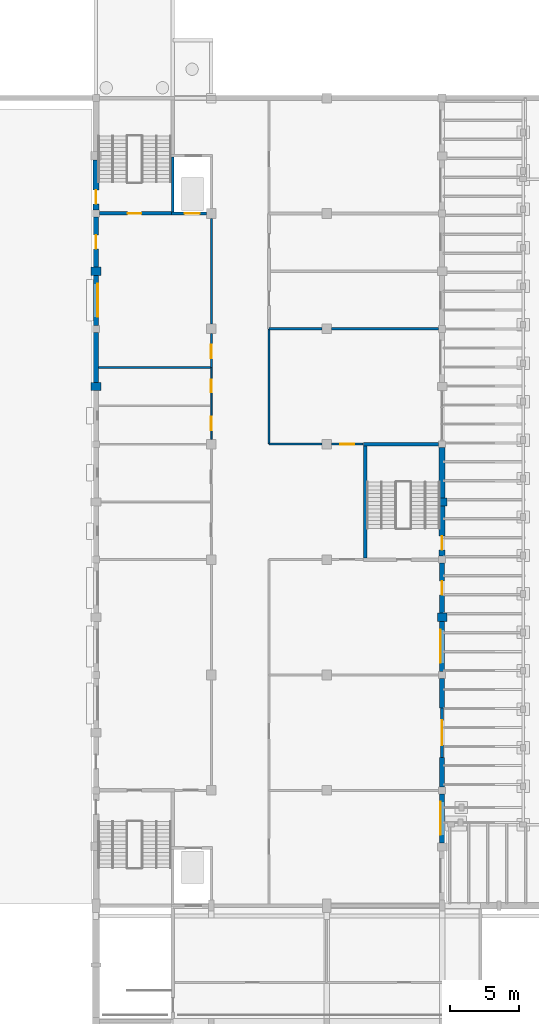
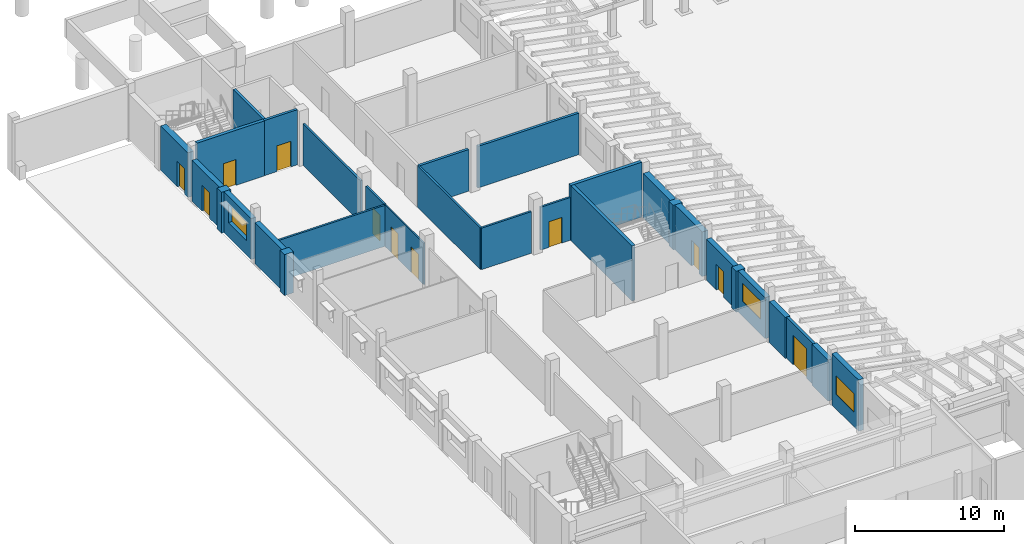
# One storey, part 41 of 60: 30 walls, 11 doors, 3 windows, 14 openings.
"""IFC4 building model written with IfcOpenShell, lengths in metres."""

from ifc_helpers import new_model, si_unit, direction, frame, frame_2d, origin, place, context, subcontext, project, spatial, rectangle, extrude, material, layer, layer_set, type_object, element, fill, save


model = new_model("IFC4")

# Units and contexts
model_context = context("Model", 3, precision=1e-05, world=origin(), true_north=direction((0.0, 1.0)))
body_context = subcontext(model_context, "Body", "Model", "MODEL_VIEW")
ifc_project = project(units=[si_unit("LENGTHUNIT", "METRE"), si_unit("AREAUNIT", "SQUARE_METRE"), si_unit("VOLUMEUNIT", "CUBIC_METRE"), si_unit("PLANEANGLEUNIT", "RADIAN"), si_unit("MASSUNIT", "GRAM", prefix="KILO")], contexts=[model_context])

# Site, building, storey
site_placement = place(None, origin())
site = spatial("IfcSite", under=ifc_project, at=site_placement, CompositionType="ELEMENT")
building_placement = place(site_placement, origin())
building = spatial("IfcBuilding", under=site, at=building_placement, Name="Fescue Hill Polytechnic", CompositionType="ELEMENT")
storey_placement = place(building_placement, frame((0.0, 0.0, 4.5)))
storey = spatial("IfcBuildingStorey", under=building, at=storey_placement, Name="L01", CompositionType="ELEMENT", Elevation=4.5)

# Wall, opening, door
ifc_material_1 = material(Name="Concrete 40 MPa", Category="concrete")
ifc_layer_1 = layer(ifc_material_1, 0.25)
ifc_layer_set_1 = layer_set([ifc_layer_1], Name="Concrete 40 MPa")
wall_type_1 = type_object("IfcWallType", Name="Core wall 250", PredefinedType="SHEAR", material=ifc_layer_set_1)
wall_1_placement = place(storey_placement, frame((0.25, 100.800048828125, 0.0), z_axis=(0.0, 0.0, 1.0), x_axis=(1.0, 0.0, 0.0)))
wall_1 = element("IfcWall", 1, at=wall_1_placement, inside=storey, type_object=wall_type_1, Name="CW-L01-ST-V4-2-11", PredefinedType="SHEAR", context=body_context, shape_type="SweptSolid", body=[
    extrude(rectangle(XDim=5.25, YDim=0.25, at=frame_2d((2.625, 0.0))), origin(), (0.0, 0.0, 1.0), 4.5),
])
opening_1_placement = place(wall_1_placement, frame((2.050048828125, 0.0, 0.0)))
opening_1 = element("IfcOpeningElement", 2, at=opening_1_placement, cuts=wall_1, Name="Opening D1094", PredefinedType="OPENING", context=body_context, shape_type="SweptSolid", body=[
    extrude(rectangle(XDim=1.0, YDim=2.10009765625, at=frame_2d((0.5, 1.050048828125))), frame((0.0, 0.135009765625, 0.0), z_axis=(0.0, -1.0, 0.0), x_axis=(1.0, 0.0, 0.0)), (0.0, 0.0, 1.0), 0.27001953125),
])
ifc_material_2 = material(Name="Steel fire door", Category="steel")
door_type_1 = type_object("IfcDoorType", Name="Door single swing 1000x2100 stair fire rated", OperationType="NOTDEFINED", PredefinedType="DOOR", material=ifc_material_2)
door_1_placement = place(opening_1_placement, origin())
door_1 = element("IfcDoor", 3, at=door_1_placement, inside=storey, type_object=door_type_1, Name="L01 ST-V4-2 stair door", OperationType="SINGLE_SWING_LEFT", OverallHeight=2.10009765625, OverallWidth=1.0, PredefinedType="DOOR", context=body_context, shape_type="SweptSolid", body=[
    extrude(rectangle(XDim=1.0, YDim=2.10009765625, at=frame_2d((0.5, 1.050048828125))), frame((0.0, 0.02490234375, 0.0), z_axis=(0.0, -1.0, 0.0), x_axis=(1.0, 0.0, 0.0)), (0.0, 0.0, 1.0), 0.050048828125),
])
fill(opening_1, door_1)

# Walls
wall_2_placement = place(storey_placement, frame((19.47509765625, 84.0, 0.0), z_axis=(0.0, 0.0, 1.0), x_axis=(1.0, 0.0, 0.0)))
element("IfcWall", 4, at=wall_2_placement, inside=storey, type_object=wall_type_1, Name="CW-L01-ST-V4-3-21", PredefinedType="SHEAR", context=body_context, shape_type="SweptSolid", body=[
    extrude(rectangle(XDim=5.474853515625, YDim=0.25, at=frame_2d((2.7373046875, 0.0))), origin(), (0.0, 0.0, 1.0), 4.5),
])
wall_3_placement = place(storey_placement, frame((19.60009765625, 75.72509765625, 0.0), z_axis=(0.0, 0.0, 1.0), x_axis=(0.0, 1.0, 0.0)))
element("IfcWall", 5, at=wall_3_placement, inside=storey, type_object=wall_type_1, Name="CW-L01-ST-V4-3-31", PredefinedType="SHEAR", context=body_context, shape_type="SweptSolid", body=[
    extrude(rectangle(XDim=8.14990234375, YDim=0.25, at=frame_2d((4.074951171875, 0.0))), origin(), (0.0, 0.0, 1.0), 4.5),
])

# Wall, opening, door
ifc_material_3 = material(Name="Glass", Category="glass")
ifc_layer_2 = layer(ifc_material_3, 0.199951171875)
ifc_layer_set_2 = layer_set([ifc_layer_2], Name="Glass")
wall_type_2 = type_object("IfcWallType", Name="Entrance frame wall metal and glass 200", PredefinedType="SOLIDWALL", material=ifc_layer_set_2)
wall_4_placement = place(storey_placement, frame((25.199951171875, 61.199951171875, 0.0), z_axis=(0.0, 0.0, 1.0), x_axis=(0.0, 1.0, 0.0)))
wall_4 = element("IfcWall", 6, at=wall_4_placement, inside=storey, type_object=wall_type_2, Name="EW-L01-V4-4", PredefinedType="SOLIDWALL", context=body_context, shape_type="SweptSolid", body=[
    extrude(rectangle(XDim=3.60009765625, YDim=0.199951171875, at=frame_2d((1.800048828125, 0.0))), origin(), (0.0, 0.0, 1.0), 3.35009765625),
])
opening_2_placement = place(wall_4_placement, frame((0.89990234375, 0.0, 0.0)))
opening_2 = element("IfcOpeningElement", 7, at=opening_2_placement, cuts=wall_4, Name="Opening D1006", PredefinedType="OPENING", context=body_context, shape_type="SweptSolid", body=[
    extrude(rectangle(XDim=1.800048828125, YDim=2.39990234375, at=frame_2d((0.89990234375, 1.199951171875))), frame((0.0, 0.10986328125, 0.0), z_axis=(0.0, -1.0, 0.0), x_axis=(1.0, 0.0, 0.0)), (0.0, 0.0, 1.0), 0.219970703125),
])
ifc_material_4 = material(Name="Aluminium and glass", Category="aluminium")
door_type_2 = type_object("IfcDoorType", Name="Door entrance glazed double 1800x2400", OperationType="DOUBLE_DOOR_SINGLE_SWING", PredefinedType="DOOR", material=ifc_material_4)
door_2_placement = place(opening_2_placement, origin())
door_2 = element("IfcDoor", 8, at=door_2_placement, inside=storey, type_object=door_type_2, Name="Door D1006", OperationType="SINGLE_SWING_LEFT", OverallHeight=2.39990234375, OverallWidth=1.800048828125, PredefinedType="DOOR", context=body_context, shape_type="SweptSolid", body=[
    extrude(rectangle(XDim=1.800048828125, YDim=2.39990234375, at=frame_2d((0.89990234375, 1.199951171875))), frame((0.0, 0.02490234375, 0.0), z_axis=(0.0, -1.0, 0.0), x_axis=(1.0, 0.0, 0.0)), (0.0, 0.0, 1.0), 0.050048828125),
])
fill(opening_2, door_2)

ifc_layer_3 = layer(ifc_material_1, 0.449951171875)
ifc_layer_set_3 = layer_set([ifc_layer_3], Name="Concrete 40 MPa")
wall_type_3 = type_object("IfcWallType", Name="Exterior wall board-marked concrete 450 load-bearing", PredefinedType="SOLIDWALL", material=ifc_layer_set_3)
wall_5_placement = place(storey_placement, frame((25.199951171875, 75.85009765625, 0.0), z_axis=(0.0, 0.0, 1.0), x_axis=(0.0, 1.0, 0.0)))
wall_5 = element("IfcWall", 9, at=wall_5_placement, inside=storey, type_object=wall_type_3, Name="EW-L01-V4-8", PredefinedType="SOLIDWALL", context=body_context, shape_type="SweptSolid", body=[
    extrude(rectangle(XDim=3.64990234375, YDim=0.449951171875, at=frame_2d((1.824951171875, 0.0))), origin(), (0.0, 0.0, 1.0), 3.64990234375),
])
opening_3_placement = place(wall_5_placement, frame((1.449951171875, 0.0, 0.0), z_axis=(0.0, 0.0, 1.0), x_axis=(-1.0, 0.0, 0.0)))
opening_3 = element("IfcOpeningElement", 10, at=opening_3_placement, cuts=wall_5, Name="Opening D1097", PredefinedType="OPENING", context=body_context, shape_type="SweptSolid", body=[
    extrude(rectangle(XDim=1.0, YDim=2.10009765625, at=frame_2d((0.5, 1.050048828125))), frame((0.0, 0.23486328125, 0.0), z_axis=(0.0, -1.0, 0.0), x_axis=(1.0, 0.0, 0.0)), (0.0, 0.0, 1.0), 0.469970703125),
])
ifc_material_5 = material(Name="Hollow metal")
door_type_3 = type_object("IfcDoorType", Name="Door exit single 1000x2100 fire rated", OperationType="SINGLE_SWING_LEFT", PredefinedType="DOOR", material=ifc_material_5)
door_3_placement = place(opening_3_placement, origin())
door_3 = element("IfcDoor", 11, at=door_3_placement, inside=storey, type_object=door_type_3, Name="Door D1097", OperationType="SINGLE_SWING_LEFT", OverallHeight=2.10009765625, OverallWidth=1.0, PredefinedType="DOOR", context=body_context, shape_type="SweptSolid", body=[
    extrude(rectangle(XDim=1.0, YDim=2.10009765625, at=frame_2d((0.5, 1.050048828125))), frame((0.0, 0.02490234375, 0.0), z_axis=(0.0, -1.0, 0.0), x_axis=(1.0, 0.0, 0.0)), (0.0, 0.0, 1.0), 0.050048828125),
])
fill(opening_3, door_3)

# Wall
wall_6_placement = place(storey_placement, frame((25.199951171875, 80.10009765625, 0.0), z_axis=(0.0, 0.0, 1.0), x_axis=(0.0, 1.0, 0.0)))
element("IfcWall", 12, at=wall_6_placement, inside=storey, type_object=wall_type_3, Name="EW-L01-V4-9", PredefinedType="SOLIDWALL", context=body_context, shape_type="SweptSolid", body=[
    extrude(rectangle(XDim=3.64990234375, YDim=0.449951171875, at=frame_2d((1.824951171875, 0.0))), origin(), (0.0, 0.0, 1.0), 3.64990234375),
])

# Wall, opening, door
wall_7_placement = place(storey_placement, frame((0.0, 104.699951171875, 0.0), z_axis=(0.0, 0.0, 1.0), x_axis=(0.0, -1.0, 0.0)))
wall_7 = element("IfcWall", 13, at=wall_7_placement, inside=storey, type_object=wall_type_3, Name="EW-L01-V4-17", PredefinedType="SOLIDWALL", context=body_context, shape_type="SweptSolid", body=[
    extrude(rectangle(XDim=3.64990234375, YDim=0.449951171875, at=frame_2d((1.824951171875, 0.0))), origin(), (0.0, 0.0, 1.0), 3.64990234375),
])
opening_4_placement = place(wall_7_placement, frame((3.199951171875, 0.0, 0.0), z_axis=(0.0, 0.0, 1.0), x_axis=(-1.0, 0.0, 0.0)))
opening_4 = element("IfcOpeningElement", 14, at=opening_4_placement, cuts=wall_7, Name="Opening D1095", PredefinedType="OPENING", context=body_context, shape_type="SweptSolid", body=[
    extrude(rectangle(XDim=1.0, YDim=2.10009765625, at=frame_2d((0.5, 1.050048828125))), frame((0.0, 0.23486328125, 0.0), z_axis=(0.0, -1.0, 0.0), x_axis=(1.0, 0.0, 0.0)), (0.0, 0.0, 1.0), 0.469970703125),
])
door_4_placement = place(opening_4_placement, origin())
door_4 = element("IfcDoor", 15, at=door_4_placement, inside=storey, type_object=door_type_3, Name="Door D1095", OperationType="SINGLE_SWING_LEFT", OverallHeight=2.10009765625, OverallWidth=1.0, PredefinedType="DOOR", context=body_context, shape_type="SweptSolid", body=[
    extrude(rectangle(XDim=1.0, YDim=2.10009765625, at=frame_2d((0.5, 1.050048828125))), frame((0.0, 0.02490234375, 0.0), z_axis=(0.0, -1.0, 0.0), x_axis=(1.0, 0.0, 0.0)), (0.0, 0.0, 1.0), 0.050048828125),
])
fill(opening_4, door_4)

# Wall, opening, window
ifc_material_6 = material(Name="Terracotta rainscreen on concrete block", Category="masonry")
ifc_layer_4 = layer(ifc_material_6, 0.3798828125)
ifc_layer_set_4 = layer_set([ifc_layer_4], Name="Terracotta rainscreen on concrete block")
wall_type_4 = type_object("IfcWallType", Name="Exterior wall rainscreen terracotta on blockwork 380", PredefinedType="SOLIDWALL", material=ifc_layer_set_4)
wall_8_placement = place(storey_placement, frame((25.199951171875, 54.97509765625, 0.0), z_axis=(0.0, 0.0, 1.0), x_axis=(0.0, 1.0, 0.0)))
wall_8 = element("IfcWall", 16, at=wall_8_placement, inside=storey, type_object=wall_type_4, Name="EW-L01-V4-2", PredefinedType="SOLIDWALL", context=body_context, shape_type="SweptSolid", body=[
    extrude(rectangle(XDim=3.574951171875, YDim=0.3798828125, at=frame_2d((1.78759765625, 0.0))), origin(), (0.0, 0.0, 1.0), 4.199951171875),
])
opening_5_placement = place(wall_8_placement, frame((0.58740234375, 0.0, 1.199951171875)))
opening_5 = element("IfcOpeningElement", 17, at=opening_5_placement, cuts=wall_8, Name="Opening W3", PredefinedType="OPENING", context=body_context, shape_type="SweptSolid", body=[
    extrude(rectangle(XDim=2.39990234375, YDim=1.5, at=frame_2d((1.199951171875, 0.75))), frame((0.0, 0.199951171875, 0.0), z_axis=(0.0, -1.0, 0.0), x_axis=(1.0, 0.0, 0.0)), (0.0, 0.0, 1.0), 0.39990234375),
])
ifc_material_7 = material(Name="Powder-coated aluminium and glass", Category="aluminium")
window_type = type_object("IfcWindowType", Name="Window laboratory strip 2400x1500", PartitioningType="TRIPLE_PANEL_VERTICAL", PredefinedType="WINDOW", material=ifc_material_7)
window_1_placement = place(opening_5_placement, origin())
window_1 = element("IfcWindow", 18, at=window_1_placement, inside=storey, type_object=window_type, Name="WN-L01-V4-2", OverallHeight=1.5, OverallWidth=2.39990234375, PartitioningType="SINGLE_PANEL", PredefinedType="WINDOW", context=body_context, shape_type="SweptSolid", body=[
    extrude(rectangle(XDim=2.39990234375, YDim=1.5, at=frame_2d((1.199951171875, 0.75))), frame((0.0, 0.150146484375, 0.0), z_axis=(0.0, -1.0, 0.0), x_axis=(1.0, 0.0, 0.0)), (0.0, 0.0, 1.0), 0.06005859375),
])
fill(opening_5, window_1)

# Walls
for number, where, z_axis, x_axis, name in (
    (19, (25.199951171875, 59.050048828125, 0.0), (0.0, 0.0, 1.0), (0.0, 1.0, 0.0), "EW-L01-V4-3"),
    (20, (25.199951171875, 64.800048828125, 0.0), (0.0, 0.0, 1.0), (0.0, 1.0, 0.0), "EW-L01-V4-5"),
):
    element("IfcWall", number, at=place(storey_placement, frame(where, z_axis=z_axis, x_axis=x_axis)), inside=storey, type_object=wall_type_4, Name=name, PredefinedType="SOLIDWALL", context=body_context, shape_type="SweptSolid", body=[
        extrude(rectangle(XDim=2.14990234375, YDim=0.3798828125, at=frame_2d((1.074951171875, 0.0))), origin(), (0.0, 0.0, 1.0), 3.35009765625),
    ])

# Wall, opening, window
wall_9_placement = place(storey_placement, frame((25.199951171875, 67.449951171875, 0.0), z_axis=(0.0, 0.0, 1.0), x_axis=(0.0, 1.0, 0.0)))
wall_9 = element("IfcWall", 21, at=wall_9_placement, inside=storey, type_object=wall_type_4, Name="EW-L01-V4-6", PredefinedType="SOLIDWALL", context=body_context, shape_type="SweptSolid", body=[
    extrude(rectangle(XDim=3.650146484375, YDim=0.3798828125, at=frame_2d((1.8251953125, 0.0))), origin(), (0.0, 0.0, 1.0), 3.35009765625),
])
opening_6_placement = place(wall_9_placement, frame((0.625, 0.0, 1.199951171875)))
opening_6 = element("IfcOpeningElement", 22, at=opening_6_placement, cuts=wall_9, Name="Opening W3", PredefinedType="OPENING", context=body_context, shape_type="SweptSolid", body=[
    extrude(rectangle(XDim=2.39990234375, YDim=1.5, at=frame_2d((1.199951171875, 0.75))), frame((0.0, 0.199951171875, 0.0), z_axis=(0.0, -1.0, 0.0), x_axis=(1.0, 0.0, 0.0)), (0.0, 0.0, 1.0), 0.39990234375),
])
window_2_placement = place(opening_6_placement, origin())
window_2 = element("IfcWindow", 23, at=window_2_placement, inside=storey, type_object=window_type, Name="WN-L01-V4-3", OverallHeight=1.5, OverallWidth=2.39990234375, PartitioningType="SINGLE_PANEL", PredefinedType="WINDOW", context=body_context, shape_type="SweptSolid", body=[
    extrude(rectangle(XDim=2.39990234375, YDim=1.5, at=frame_2d((1.199951171875, 0.75))), frame((0.0, 0.150146484375, 0.0), z_axis=(0.0, -1.0, 0.0), x_axis=(1.0, 0.0, 0.0)), (0.0, 0.0, 1.0), 0.06005859375),
])
fill(opening_6, window_2)

# Wall, opening, door
wall_10_placement = place(storey_placement, frame((25.199951171875, 71.699951171875, 0.0), z_axis=(0.0, 0.0, 1.0), x_axis=(0.0, 1.0, 0.0)))
wall_10 = element("IfcWall", 24, at=wall_10_placement, inside=storey, type_object=wall_type_4, Name="EW-L01-V4-7", PredefinedType="SOLIDWALL", context=body_context, shape_type="SweptSolid", body=[
    extrude(rectangle(XDim=3.650146484375, YDim=0.3798828125, at=frame_2d((1.8251953125, 0.0))), origin(), (0.0, 0.0, 1.0), 3.35009765625),
])
opening_7_placement = place(wall_10_placement, frame((1.324951171875, 0.0, 0.0)))
opening_7 = element("IfcOpeningElement", 25, at=opening_7_placement, cuts=wall_10, Name="Opening D1007", PredefinedType="OPENING", context=body_context, shape_type="SweptSolid", body=[
    extrude(rectangle(XDim=1.0, YDim=2.10009765625, at=frame_2d((0.5, 1.050048828125))), frame((0.0, 0.199951171875, 0.0), z_axis=(0.0, -1.0, 0.0), x_axis=(1.0, 0.0, 0.0)), (0.0, 0.0, 1.0), 0.39990234375),
])
door_5_placement = place(opening_7_placement, origin())
door_5 = element("IfcDoor", 26, at=door_5_placement, inside=storey, type_object=door_type_3, Name="Door D1007", OperationType="SINGLE_SWING_LEFT", OverallHeight=2.10009765625, OverallWidth=1.0, PredefinedType="DOOR", context=body_context, shape_type="SweptSolid", body=[
    extrude(rectangle(XDim=1.0, YDim=2.10009765625, at=frame_2d((0.5, 1.050048828125))), frame((0.0, 0.02490234375, 0.0), z_axis=(0.0, -1.0, 0.0), x_axis=(1.0, 0.0, 0.0)), (0.0, 0.0, 1.0), 0.050048828125),
])
fill(opening_7, door_5)

wall_11_placement = place(storey_placement, frame((0.0, 100.550048828125, 0.0), z_axis=(0.0, 0.0, 1.0), x_axis=(0.0, -1.0, 0.0)))
wall_11 = element("IfcWall", 27, at=wall_11_placement, inside=storey, type_object=wall_type_4, Name="EW-L01-V4-18", PredefinedType="SOLIDWALL", context=body_context, shape_type="SweptSolid", body=[
    extrude(rectangle(XDim=3.650146484375, YDim=0.3798828125, at=frame_2d((1.8251953125, 0.0))), origin(), (0.0, 0.0, 1.0), 3.35009765625),
])
opening_8_placement = place(wall_11_placement, frame((1.324951171875, 0.0, 0.0)))
opening_8 = element("IfcOpeningElement", 28, at=opening_8_placement, cuts=wall_11, Name="Opening D1008", PredefinedType="OPENING", context=body_context, shape_type="SweptSolid", body=[
    extrude(rectangle(XDim=1.0, YDim=2.10009765625, at=frame_2d((0.5, 1.050048828125))), frame((0.0, 0.199951171875, 0.0), z_axis=(0.0, -1.0, 0.0), x_axis=(1.0, 0.0, 0.0)), (0.0, 0.0, 1.0), 0.39990234375),
])
door_6_placement = place(opening_8_placement, origin())
door_6 = element("IfcDoor", 29, at=door_6_placement, inside=storey, type_object=door_type_3, Name="Door D1008", OperationType="SINGLE_SWING_LEFT", OverallHeight=2.10009765625, OverallWidth=1.0, PredefinedType="DOOR", context=body_context, shape_type="SweptSolid", body=[
    extrude(rectangle(XDim=1.0, YDim=2.10009765625, at=frame_2d((0.5, 1.050048828125))), frame((0.0, 0.02490234375, 0.0), z_axis=(0.0, -1.0, 0.0), x_axis=(1.0, 0.0, 0.0)), (0.0, 0.0, 1.0), 0.050048828125),
])
fill(opening_8, door_6)

# Wall, opening, window
wall_12_placement = place(storey_placement, frame((0.0, 96.300048828125, 0.0), z_axis=(0.0, 0.0, 1.0), x_axis=(0.0, -1.0, 0.0)))
wall_12 = element("IfcWall", 30, at=wall_12_placement, inside=storey, type_object=wall_type_4, Name="EW-L01-V4-19", PredefinedType="SOLIDWALL", context=body_context, shape_type="SweptSolid", body=[
    extrude(rectangle(XDim=3.650146484375, YDim=0.3798828125, at=frame_2d((1.8251953125, 0.0))), origin(), (0.0, 0.0, 1.0), 3.35009765625),
])
opening_9_placement = place(wall_12_placement, frame((0.625, 0.0, 1.199951171875)))
opening_9 = element("IfcOpeningElement", 31, at=opening_9_placement, cuts=wall_12, Name="Opening W3", PredefinedType="OPENING", context=body_context, shape_type="SweptSolid", body=[
    extrude(rectangle(XDim=2.39990234375, YDim=1.5, at=frame_2d((1.199951171875, 0.75))), frame((0.0, 0.199951171875, 0.0), z_axis=(0.0, -1.0, 0.0), x_axis=(1.0, 0.0, 0.0)), (0.0, 0.0, 1.0), 0.39990234375),
])
window_3_placement = place(opening_9_placement, origin())
window_3 = element("IfcWindow", 32, at=window_3_placement, inside=storey, type_object=window_type, Name="WN-L01-V4-9", OverallHeight=1.5, OverallWidth=2.39990234375, PartitioningType="SINGLE_PANEL", PredefinedType="WINDOW", context=body_context, shape_type="SweptSolid", body=[
    extrude(rectangle(XDim=2.39990234375, YDim=1.5, at=frame_2d((1.199951171875, 0.75))), frame((0.0, 0.150146484375, 0.0), z_axis=(0.0, -1.0, 0.0), x_axis=(1.0, 0.0, 0.0)), (0.0, 0.0, 1.0), 0.06005859375),
])
fill(opening_9, window_3)

# Walls
wall_13_placement = place(storey_placement, frame((0.0, 92.14990234375, 0.0), z_axis=(0.0, 0.0, 1.0), x_axis=(0.0, -1.0, 0.0)))
element("IfcWall", 33, at=wall_13_placement, inside=storey, type_object=wall_type_4, Name="EW-L01-V4-20", PredefinedType="SOLIDWALL", context=body_context, shape_type="SweptSolid", body=[
    extrude(rectangle(XDim=3.64990234375, YDim=0.3798828125, at=frame_2d((1.824951171875, 0.0))), origin(), (0.0, 0.0, 1.0), 3.35009765625),
])
ifc_layer_5 = layer(ifc_material_1, 0.699951171875)
ifc_layer_set_5 = layer_set([ifc_layer_5], Name="Concrete 40 MPa")
wall_type_5 = type_object("IfcWallType", Name="Fin wall board-marked 600x700", PredefinedType="SOLIDWALL", material=ifc_layer_set_5)
wall_14_placement = place(storey_placement, frame((25.199951171875, 71.10009765625, 0.0), z_axis=(0.0, 0.0, 1.0), x_axis=(0.0, 1.0, 0.0)))
element("IfcWall", 34, at=wall_14_placement, inside=storey, type_object=wall_type_5, Name="PR-L01-V4-2", PredefinedType="SOLIDWALL", context=body_context, shape_type="SweptSolid", body=[
    extrude(rectangle(XDim=0.599853515625, YDim=0.699951171875, at=frame_2d((0.2998046875, 0.0))), origin(), (0.0, 0.0, 1.0), 3.35009765625),
])
wall_15_placement = place(storey_placement, frame((25.199951171875, 79.5, 0.0), z_axis=(0.0, 0.0, 1.0), x_axis=(0.0, 1.0, 0.0)))
element("IfcWall", 35, at=wall_15_placement, inside=storey, type_object=wall_type_5, Name="PR-L01-V4-3", PredefinedType="SOLIDWALL", context=body_context, shape_type="SweptSolid", body=[
    extrude(rectangle(XDim=0.60009765625, YDim=0.699951171875, at=frame_2d((0.300048828125, 0.0))), origin(), (0.0, 0.0, 1.0), 3.64990234375),
])
wall_16_placement = place(storey_placement, frame((0.0, 96.89990234375, 0.0), z_axis=(0.0, 0.0, 1.0), x_axis=(0.0, -1.0, 0.0)))
element("IfcWall", 36, at=wall_16_placement, inside=storey, type_object=wall_type_5, Name="PR-L01-V4-8", PredefinedType="SOLIDWALL", context=body_context, shape_type="SweptSolid", body=[
    extrude(rectangle(XDim=0.599853515625, YDim=0.699951171875, at=frame_2d((0.2998046875, 0.0))), origin(), (0.0, 0.0, 1.0), 3.35009765625),
])
wall_17_placement = place(storey_placement, frame((0.0, 88.5, 0.0), z_axis=(0.0, 0.0, 1.0), x_axis=(0.0, -1.0, 0.0)))
element("IfcWall", 37, at=wall_17_placement, inside=storey, type_object=wall_type_5, Name="PR-L01-V4-9", PredefinedType="SOLIDWALL", context=body_context, shape_type="SweptSolid", body=[
    extrude(rectangle(XDim=0.60009765625, YDim=0.699951171875, at=frame_2d((0.300048828125, 0.0))), origin(), (0.0, 0.0, 1.0), 3.35009765625),
])
ifc_material_8 = material(Name="Concrete masonry block 15 MPa", Category="masonry")
ifc_layer_6 = layer(ifc_material_8, 0.14990234375)
ifc_layer_set_6 = layer_set([ifc_layer_6], Name="Concrete masonry block 15 MPa")
wall_type_6 = type_object("IfcWallType", Name="Laboratory wall 150 block EI 60", PredefinedType="PARTITIONING", material=ifc_layer_set_6)
wall_18_placement = place(storey_placement, frame((0.18994140625, 89.60009765625, 0.0), z_axis=(0.0, 0.0, 1.0), x_axis=(1.0, 0.0, 0.0)))
element("IfcWall", 38, at=wall_18_placement, inside=storey, type_object=wall_type_6, Name="IW-L01-055", PredefinedType="PARTITIONING", context=body_context, shape_type="SweptSolid", body=[
    extrude(rectangle(XDim=8.2099609375, YDim=0.14990234375, at=frame_2d((4.10498046875, 0.0))), origin(), (0.0, 0.0, 1.0), 3.35009765625),
])

# Wall, opening, door
wall_19_placement = place(storey_placement, frame((8.39990234375, 89.60009765625, 0.0), z_axis=(0.0, 0.0, 1.0), x_axis=(0.0, 1.0, 0.0)))
wall_19 = element("IfcWall", 39, at=wall_19_placement, inside=storey, type_object=wall_type_6, Name="IW-L01-067", PredefinedType="PARTITIONING", context=body_context, shape_type="SweptSolid", body=[
    extrude(rectangle(XDim=2.449951171875, YDim=0.14990234375, at=frame_2d((1.22509765625, 0.0))), origin(), (0.0, 0.0, 1.0), 3.39990234375),
])
opening_10_placement = place(wall_19_placement, frame((0.64990234375, 0.0, 0.0)))
opening_10 = element("IfcOpeningElement", 40, at=opening_10_placement, cuts=wall_19, Name="Opening D1062", PredefinedType="OPENING", context=body_context, shape_type="SweptSolid", body=[
    extrude(rectangle(XDim=1.0, YDim=2.10009765625, at=frame_2d((0.5, 1.050048828125))), frame((0.0, 0.0849609375, 0.0), z_axis=(0.0, -1.0, 0.0), x_axis=(1.0, 0.0, 0.0)), (0.0, 0.0, 1.0), 0.169921875),
])
ifc_material_9 = material(Name="Steel", Category="steel")
door_type_4 = type_object("IfcDoorType", Name="Door single swing 1000x2100 FD60", OperationType="SINGLE_SWING_LEFT", PredefinedType="DOOR", material=ifc_material_9)
door_7_placement = place(opening_10_placement, origin())
door_7 = element("IfcDoor", 41, at=door_7_placement, inside=storey, type_object=door_type_4, Name="Door D1062", OperationType="SINGLE_SWING_LEFT", OverallHeight=2.10009765625, OverallWidth=1.0, PredefinedType="DOOR", context=body_context, shape_type="SweptSolid", body=[
    extrude(rectangle(XDim=1.0, YDim=2.10009765625, at=frame_2d((0.5, 1.050048828125))), frame((0.0, 0.02490234375, 0.0), z_axis=(0.0, -1.0, 0.0), x_axis=(1.0, 0.0, 0.0)), (0.0, 0.0, 1.0), 0.050048828125),
])
fill(opening_10, door_7)

# Walls
wall_20_placement = place(storey_placement, frame((8.39990234375, 92.75, 0.0), z_axis=(0.0, 0.0, 1.0), x_axis=(0.0, 1.0, 0.0)))
element("IfcWall", 42, at=wall_20_placement, inside=storey, type_object=wall_type_6, Name="IW-L01-068", PredefinedType="PARTITIONING", context=body_context, shape_type="SweptSolid", body=[
    extrude(rectangle(XDim=7.699951171875, YDim=0.14990234375, at=frame_2d((3.85009765625, 0.0))), origin(), (0.0, 0.0, 1.0), 3.39990234375),
])
wall_21_placement = place(storey_placement, frame((12.60009765625, 84.0, 0.0), z_axis=(0.0, 0.0, 1.0), x_axis=(0.0, 1.0, 0.0)))
element("IfcWall", 43, at=wall_21_placement, inside=storey, type_object=wall_type_6, Name="IW-L01-072", PredefinedType="PARTITIONING", context=body_context, shape_type="SweptSolid", body=[
    extrude(rectangle(XDim=8.39990234375, YDim=0.14990234375, at=frame_2d((4.199951171875, 0.0))), origin(), (0.0, 0.0, 1.0), 3.39990234375),
])

# Wall, opening, door
ifc_layer_7 = layer(ifc_material_1, 0.199951171875)
ifc_layer_set_7 = layer_set([ifc_layer_7], Name="Concrete 40 MPa")
wall_type_7 = type_object("IfcWallType", Name="Lift shaft wall 200", PredefinedType="SHEAR", material=ifc_layer_set_7)
wall_22_placement = place(storey_placement, frame((5.5, 100.800048828125, 0.0), z_axis=(0.0, 0.0, 1.0), x_axis=(1.0, 0.0, 0.0)))
wall_22 = element("IfcWall", 44, at=wall_22_placement, inside=storey, type_object=wall_type_7, Name="CW-L01-LF-V4-2-11", PredefinedType="SHEAR", context=body_context, shape_type="SweptSolid", body=[
    extrude(rectangle(XDim=2.550048828125, YDim=0.199951171875, at=frame_2d((1.27490234375, 0.0))), origin(), (0.0, 0.0, 1.0), 4.5),
])
opening_11_placement = place(wall_22_placement, frame((0.949951171875, 0.0, 0.0)))
opening_11 = element("IfcOpeningElement", 45, at=opening_11_placement, cuts=wall_22, Name="Opening LD5-L01", PredefinedType="OPENING", context=body_context, shape_type="SweptSolid", body=[
    extrude(rectangle(XDim=1.10009765625, YDim=2.10009765625, at=frame_2d((0.550048828125, 1.050048828125))), frame((0.0, 0.10986328125, 0.0), z_axis=(0.0, -1.0, 0.0), x_axis=(1.0, 0.0, 0.0)), (0.0, 0.0, 1.0), 0.219970703125),
])
ifc_material_10 = material(Name="Stainless steel", Category="steel")
door_type_5 = type_object("IfcDoorType", Name="Lift landing door sliding 1100x2100", OperationType="SLIDING_TO_LEFT", PredefinedType="DOOR", material=ifc_material_10)
door_8_placement = place(opening_11_placement, origin())
door_8 = element("IfcDoor", 46, at=door_8_placement, inside=storey, type_object=door_type_5, Name="L01 LF-V4-2 lift landing door", OperationType="SLIDING_TO_LEFT", OverallHeight=2.10009765625, OverallWidth=1.10009765625, PredefinedType="DOOR", context=body_context, shape_type="SweptSolid", body=[
    extrude(rectangle(XDim=1.10009765625, YDim=2.10009765625, at=frame_2d((0.550048828125, 1.050048828125))), frame((0.0, 0.02490234375, 0.0), z_axis=(0.0, -1.0, 0.0), x_axis=(1.0, 0.0, 0.0)), (0.0, 0.0, 1.0), 0.050048828125),
])
fill(opening_11, door_8)

# Walls
wall_23_placement = place(storey_placement, frame((5.60009765625, 100.89990234375, 0.0), z_axis=(0.0, 0.0, 1.0), x_axis=(0.0, 1.0, 0.0)))
element("IfcWall", 47, at=wall_23_placement, inside=storey, type_object=wall_type_7, Name="CW-L01-LF-V4-2-31", PredefinedType="SHEAR", context=body_context, shape_type="SweptSolid", body=[
    extrude(rectangle(XDim=4.0, YDim=0.199951171875, at=frame_2d((2.0, 0.0))), origin(), (0.0, 0.0, 1.0), 4.5),
])
ifc_material_11 = material(Name="Gypsum board partition")
ifc_layer_8 = layer(ifc_material_11, 0.14990234375)
ifc_layer_set_8 = layer_set([ifc_layer_8], Name="Gypsum board partition")
wall_type_8 = type_object("IfcWallType", Name="Lobby wall 150 EI 60", PredefinedType="PARTITIONING", material=ifc_layer_set_8)
wall_24_placement = place(storey_placement, frame((12.60009765625, 84.0, 0.0), z_axis=(0.0, 0.0, 1.0), x_axis=(1.0, 0.0, 0.0)))
element("IfcWall", 48, at=wall_24_placement, inside=storey, type_object=wall_type_8, Name="IW-L01-051", PredefinedType="PARTITIONING", context=body_context, shape_type="SweptSolid", body=[
    extrude(rectangle(XDim=3.849853515625, YDim=0.14990234375, at=frame_2d((1.9248046875, 0.0))), origin(), (0.0, 0.0, 1.0), 3.39990234375),
])

# Wall, opening, door
wall_25_placement = place(storey_placement, frame((17.14990234375, 84.0, 0.0), z_axis=(0.0, 0.0, 1.0), x_axis=(1.0, 0.0, 0.0)))
wall_25 = element("IfcWall", 49, at=wall_25_placement, inside=storey, type_object=wall_type_8, Name="IW-L01-052", PredefinedType="PARTITIONING", context=body_context, shape_type="SweptSolid", body=[
    extrude(rectangle(XDim=2.300048828125, YDim=0.14990234375, at=frame_2d((1.14990234375, 0.0))), origin(), (0.0, 0.0, 1.0), 3.5),
])
opening_12_placement = place(wall_25_placement, frame((0.64990234375, 0.0, 0.0)))
opening_12 = element("IfcOpeningElement", 50, at=opening_12_placement, cuts=wall_25, Name="Opening D1066", PredefinedType="OPENING", context=body_context, shape_type="SweptSolid", body=[
    extrude(rectangle(XDim=1.0, YDim=2.10009765625, at=frame_2d((0.5, 1.050048828125))), frame((0.0, 0.0849609375, 0.0), z_axis=(0.0, -1.0, 0.0), x_axis=(1.0, 0.0, 0.0)), (0.0, 0.0, 1.0), 0.169921875),
])
door_9_placement = place(opening_12_placement, origin())
door_9 = element("IfcDoor", 51, at=door_9_placement, inside=storey, type_object=door_type_4, Name="Door D1066", OperationType="SINGLE_SWING_LEFT", OverallHeight=2.10009765625, OverallWidth=1.0, PredefinedType="DOOR", context=body_context, shape_type="SweptSolid", body=[
    extrude(rectangle(XDim=1.0, YDim=2.10009765625, at=frame_2d((0.5, 1.050048828125))), frame((0.0, 0.02490234375, 0.0), z_axis=(0.0, -1.0, 0.0), x_axis=(1.0, 0.0, 0.0)), (0.0, 0.0, 1.0), 0.050048828125),
])
fill(opening_12, door_9)

# Walls
ifc_layer_9 = layer(ifc_material_8, 0.199951171875)
ifc_layer_set_9 = layer_set([ifc_layer_9], Name="Concrete masonry block 15 MPa")
wall_type_9 = type_object("IfcWallType", Name="Plant room wall 200 block EI 60", PredefinedType="PARTITIONING", material=ifc_layer_set_9)
wall_26_placement = place(storey_placement, frame((12.60009765625, 92.39990234375, 0.0), z_axis=(0.0, 0.0, 1.0), x_axis=(1.0, 0.0, 0.0)))
element("IfcWall", 52, at=wall_26_placement, inside=storey, type_object=wall_type_9, Name="IW-L01-057", PredefinedType="PARTITIONING", context=body_context, shape_type="SweptSolid", body=[
    extrude(rectangle(XDim=3.849853515625, YDim=0.199951171875, at=frame_2d((1.9248046875, 0.0))), origin(), (0.0, 0.0, 1.0), 3.39990234375),
])
wall_27_placement = place(storey_placement, frame((17.14990234375, 92.39990234375, 0.0), z_axis=(0.0, 0.0, 1.0), x_axis=(1.0, 0.0, 0.0)))
element("IfcWall", 53, at=wall_27_placement, inside=storey, type_object=wall_type_9, Name="IW-L01-058", PredefinedType="PARTITIONING", context=body_context, shape_type="SweptSolid", body=[
    extrude(rectangle(XDim=7.800048828125, YDim=0.199951171875, at=frame_2d((3.89990234375, 0.0))), origin(), (0.0, 0.0, 1.0), 3.39990234375),
])

# Wall, openings, doors
ifc_layer_10 = layer(ifc_material_11, 0.10009765625)
ifc_layer_set_10 = layer_set([ifc_layer_10], Name="Gypsum board partition")
wall_type_10 = type_object("IfcWallType", Name="WC partition 100 moisture resistant", PredefinedType="PARTITIONING", material=ifc_layer_set_10)
wall_28_placement = place(storey_placement, frame((8.39990234375, 84.35009765625, 0.0), z_axis=(0.0, 0.0, 1.0), x_axis=(0.0, 1.0, 0.0)))
wall_28 = element("IfcWall", 54, at=wall_28_placement, inside=storey, type_object=wall_type_10, Name="IW-L01-070", PredefinedType="PARTITIONING", context=body_context, shape_type="SweptSolid", body=[
    extrude(rectangle(XDim=5.25, YDim=0.10009765625, at=frame_2d((2.625, 0.0))), origin(), (0.0, 0.0, 1.0), 3.39990234375),
])
opening_13_placement = place(wall_28_placement, frame((0.64990234375, 0.0, 0.0)))
opening_13 = element("IfcOpeningElement", 55, at=opening_13_placement, cuts=wall_28, Name="Opening D1060", PredefinedType="OPENING", context=body_context, shape_type="SweptSolid", body=[
    extrude(rectangle(XDim=1.0, YDim=2.10009765625, at=frame_2d((0.5, 1.050048828125))), frame((0.0, 0.06005859375, 0.0), z_axis=(0.0, -1.0, 0.0), x_axis=(1.0, 0.0, 0.0)), (0.0, 0.0, 1.0), 0.1201171875),
])
opening_14_placement = place(wall_28_placement, frame((3.449951171875, 0.0, 0.0)))
opening_14 = element("IfcOpeningElement", 56, at=opening_14_placement, cuts=wall_28, Name="Opening D1061", PredefinedType="OPENING", context=body_context, shape_type="SweptSolid", body=[
    extrude(rectangle(XDim=0.89990234375, YDim=2.10009765625, at=frame_2d((0.449951171875, 1.050048828125))), frame((0.0, 0.06005859375, 0.0), z_axis=(0.0, -1.0, 0.0), x_axis=(1.0, 0.0, 0.0)), (0.0, 0.0, 1.0), 0.1201171875),
])
ifc_material_12 = material(Name="Timber", Category="wood")
door_type_6 = type_object("IfcDoorType", Name="Door single swing 1000x2100 accessible WC", OperationType="SINGLE_SWING_LEFT", PredefinedType="DOOR", material=ifc_material_12)
door_10_placement = place(opening_13_placement, origin())
door_10 = element("IfcDoor", 57, at=door_10_placement, inside=storey, type_object=door_type_6, Name="Door D1060", OperationType="SINGLE_SWING_LEFT", OverallHeight=2.10009765625, OverallWidth=1.0, PredefinedType="DOOR", context=body_context, shape_type="SweptSolid", body=[
    extrude(rectangle(XDim=1.0, YDim=2.10009765625, at=frame_2d((0.5, 1.050048828125))), frame((0.0, 0.02490234375, 0.0), z_axis=(0.0, -1.0, 0.0), x_axis=(1.0, 0.0, 0.0)), (0.0, 0.0, 1.0), 0.050048828125),
])
fill(opening_13, door_10)
door_type_7 = type_object("IfcDoorType", Name="Door single swing 900x2100 store", OperationType="SINGLE_SWING_LEFT", PredefinedType="DOOR", material=ifc_material_12)
door_11_placement = place(opening_14_placement, origin())
door_11 = element("IfcDoor", 58, at=door_11_placement, inside=storey, type_object=door_type_7, Name="Door D1061", OperationType="SINGLE_SWING_RIGHT", OverallHeight=2.10009765625, OverallWidth=0.89990234375, PredefinedType="DOOR", context=body_context, shape_type="SweptSolid", body=[
    extrude(rectangle(XDim=0.89990234375, YDim=2.10009765625, at=frame_2d((0.449951171875, 1.050048828125))), frame((0.0, 0.02490234375, 0.0), z_axis=(0.0, -1.0, 0.0), x_axis=(1.0, 0.0, 0.0)), (0.0, 0.0, 1.0), 0.050048828125),
])
fill(opening_14, door_11)

save(model, "model.ifc")
